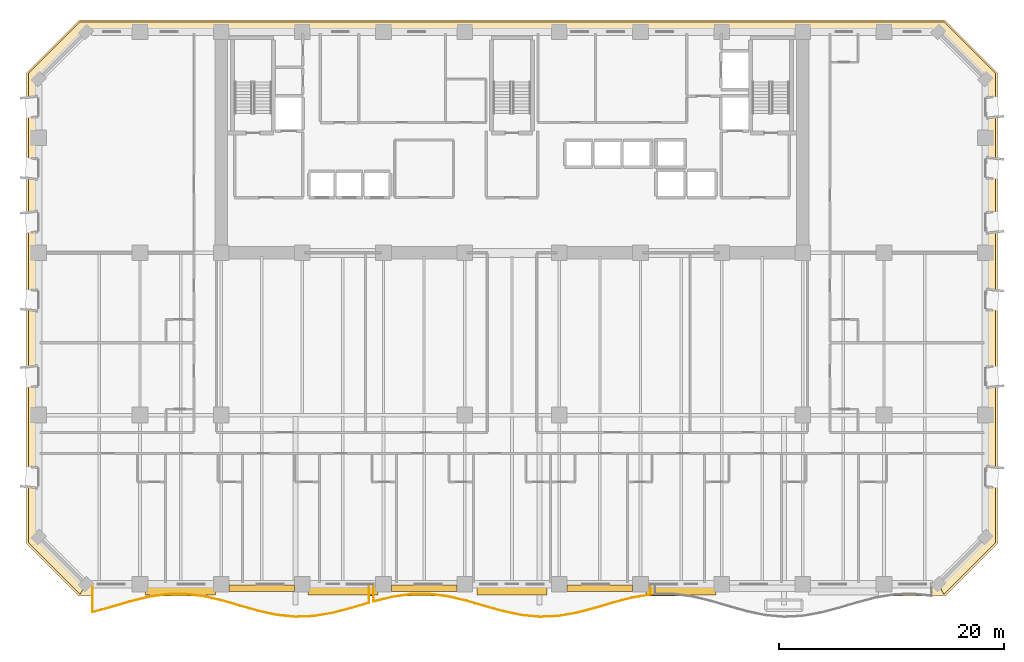
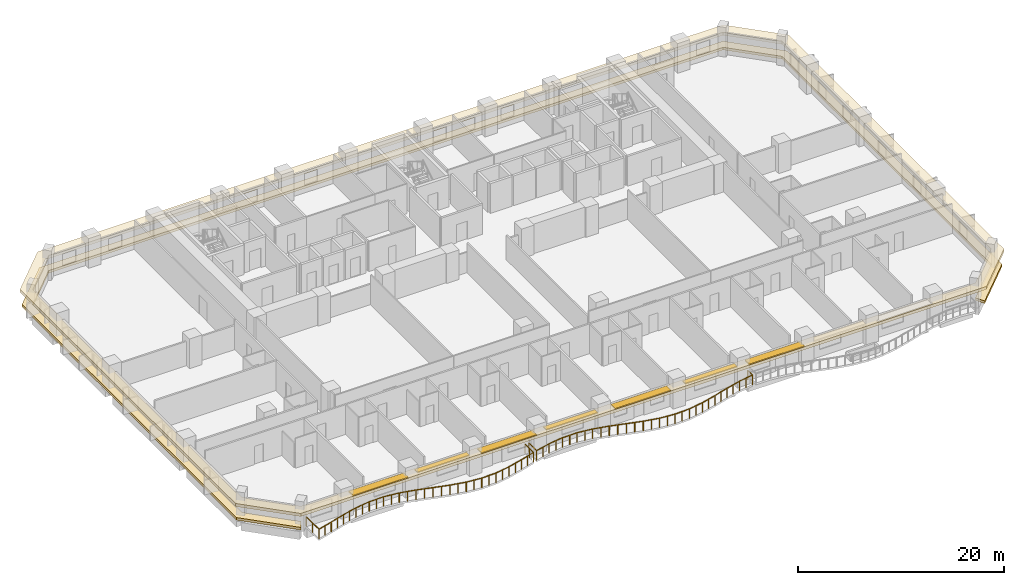
# One storey, part 12 of 15: 7 shading devices, 2 coverings, 2 railings.
"""IFC4 building model written with IfcOpenShell, lengths in metres."""

from ifc_helpers import new_model, si_unit, direction, frame, origin, origin_2d, place, context, subcontext, project, spatial, polyline, rectangle, outline, extrude, material, layer, layer_set, type_object, element, save


model = new_model("IFC4")

# Units and contexts
model_context = context("Model", 3, precision=1e-05, world=origin(), true_north=direction((0.0, 1.0)))
body_context = subcontext(model_context, "Body", "Model", "MODEL_VIEW")
ifc_project = project(units=[si_unit("LENGTHUNIT", "METRE"), si_unit("AREAUNIT", "SQUARE_METRE"), si_unit("VOLUMEUNIT", "CUBIC_METRE"), si_unit("PLANEANGLEUNIT", "RADIAN"), si_unit("MASSUNIT", "GRAM", prefix="KILO")], contexts=[model_context])

# Site, building, storey
site_placement = place(None, origin())
site = spatial("IfcSite", under=ifc_project, at=site_placement, CompositionType="ELEMENT")
building_placement = place(site_placement, origin())
building = spatial("IfcBuilding", under=site, at=building_placement, Name="Kaelvorn Grand Hotel", CompositionType="ELEMENT")
storey_placement = place(building_placement, frame((0.0, 0.0, 50.14990234375)))
storey = spatial("IfcBuildingStorey", under=building, at=storey_placement, Name="L10", CompositionType="ELEMENT", Elevation=50.14990234375)

# Coverings
ifc_material_1 = material(Name="Precast concrete C45/55", Category="concrete")
ifc_layer_1 = layer(ifc_material_1, 0.260009765625)
ifc_layer_set_1 = layer_set([ifc_layer_1], Name="Precast concrete C45/55")
covering_type_1 = type_object("IfcCoveringType", Name="COV-BAND-STREAMLINE-HEAD", PredefinedType="CLADDING", material=ifc_layer_set_1)
covering_1_placement = place(storey_placement, frame((0.0, 0.0, 2.18017578125)))
element("IfcCovering", 1, at=covering_1_placement, inside=storey, type_object=covering_type_1, Name="L10 Streamline Moderne Wraparound Horizontal Eyebrow Band", PredefinedType="CLADDING", context=body_context, shape_type="SweptSolid", body=[
    extrude(outline(polyline([(3.590087890625, -1.050048828125), (80.409912109375, -1.050048828125), (85.050048828125, 3.590087890625), (85.050048828125, 45.409912109375), (80.409912109375, 50.050048828125), (3.590087890625, 50.050048828125), (-1.050048828125, 45.409912109375), (-1.050048828125, 3.590087890625), (3.590087890625, -1.050048828125)]), holes=[polyline([(4.219970703125, 0.030029296875), (79.780029296875, 0.030029296875), (83.969970703125, 4.219970703125), (83.969970703125, 44.780029296875), (79.780029296875, 48.969970703125), (4.219970703125, 48.969970703125), (0.030029296875, 44.780029296875), (0.030029296875, 4.219970703125), (4.219970703125, 0.030029296875)])]), origin(), (0.0, 0.0, 1.0), 0.35986328125),
])
ifc_layer_2 = layer(ifc_material_1, 0.219970703125)
ifc_layer_set_2 = layer_set([ifc_layer_2], Name="Precast concrete C45/55")
covering_type_2 = type_object("IfcCoveringType", Name="COV-BAND-STREAMLINE-SILL", PredefinedType="CLADDING", material=ifc_layer_set_2)
covering_2_placement = place(storey_placement, frame((0.0, 0.0, 0.4501953125)))
element("IfcCovering", 2, at=covering_2_placement, inside=storey, type_object=covering_type_2, Name="L10 Streamline Moderne Wraparound Horizontal Sill Spandrel Band", PredefinedType="CLADDING", context=body_context, shape_type="SweptSolid", body=[
    extrude(outline(polyline([(80.3154296875, -0.8798828125), (84.8798828125, 3.6845703125), (84.8798828125, 45.3154296875), (80.3154296875, 49.8798828125), (3.6845703125, 49.8798828125), (-0.8798828125, 45.3154296875), (-0.8798828125, 3.6845703125), (3.6845703125, -0.8798828125), (4.217529296875, 0.030029296875), (0.030029296875, 4.217529296875), (0.030029296875, 44.782470703125), (4.217529296875, 48.969970703125), (79.782470703125, 48.969970703125), (83.969970703125, 44.782470703125), (83.969970703125, 4.217529296875), (79.782470703125, 0.030029296875), (80.3154296875, -0.8798828125)])), origin(), (0.0, 0.0, 1.0), 0.2998046875),
])

# Railings
ifc_material_2 = material(Name="Stainless Steel", Category="steel")
railing_type = type_object("IfcRailingType", Name="RL-BALC-1150", PredefinedType="BALUSTRADE", material=ifc_material_2)
railing_1_placement = place(storey_placement, frame((4.800048828125, 0.0, 0.0)))
element("IfcRailing", 3, at=railing_1_placement, inside=storey, type_object=railing_type, Name="L10 Scalloped Wave Balcony Balustrade GR1-1", PredefinedType="BALUSTRADE", context=body_context, shape_type="SweptSolid", body=[
    extrude(rectangle(XDim=0.048095703125, YDim=0.048095703125, at=origin_2d()), frame((0.0, 0.0, 1.1259765625), z_axis=(0.0, -1.0, 0.0), x_axis=(1.0, 0.0, 0.0)), (0.0, 0.0, 1.0), 2.4775390625),
    extrude(rectangle(XDim=0.048095703125, YDim=0.048095703125, at=origin_2d()), frame((0.0, -2.4775390625, 1.1259765625), z_axis=(0.964654076127, 0.263519474446, 0.0), x_axis=(-0.263519474446, 0.964654076127, 0.0)), (0.0, 0.0, 1.0), 1.6953125),
    extrude(rectangle(XDim=0.048095703125, YDim=0.048095703125, at=origin_2d()), frame((1.635498046875, -2.03076171875, 1.1259765625), z_axis=(0.959338132824, 0.282259361068, 0.0), x_axis=(-0.282259361068, 0.959338132824, 0.0)), (0.0, 0.0, 1.0), 1.704833984375),
    extrude(rectangle(XDim=0.048095703125, YDim=0.048095703125, at=origin_2d()), frame((3.27099609375, -1.549560546875, 1.1259765625), z_axis=(0.970108421797, 0.242671897751, 0.0), x_axis=(-0.242671897751, 0.970108421797, 0.0)), (0.0, 0.0, 1.0), 1.68603515625),
    extrude(rectangle(XDim=0.048095703125, YDim=0.048095703125, at=origin_2d()), frame((4.90673828125, -1.140380859375, 1.1259765625), z_axis=(0.988889745087, 0.148650839424, 0.0), x_axis=(-0.148650839424, 0.988889745087, 0.0)), (0.0, 0.0, 1.0), 1.65380859375),
    extrude(rectangle(XDim=0.048095703125, YDim=0.048095703125, at=origin_2d()), frame((6.542236328125, -0.89453125, 1.1259765625), z_axis=(0.999852684056, 0.01716421237, 0.0), x_axis=(-0.01716421237, 0.999852684056, 0.0)), (0.0, 0.0, 1.0), 1.6357421875),
    extrude(rectangle(XDim=0.048095703125, YDim=0.048095703125, at=origin_2d()), frame((8.177734375, -0.866455078125, 1.1259765625), z_axis=(0.992892259483, -0.119016641941, 0.0), x_axis=(0.119016641941, 0.992892259483, 0.0)), (0.0, 0.0, 1.0), 1.647216796875),
    extrude(rectangle(XDim=0.048095703125, YDim=0.048095703125, at=origin_2d()), frame((9.813232421875, -1.0625, 1.1259765625), z_axis=(0.974547877033, -0.22417947134, 0.0), x_axis=(0.22417947134, 0.974547877033, 0.0)), (0.0, 0.0, 1.0), 1.67822265625),
    extrude(rectangle(XDim=0.048095703125, YDim=0.048095703125, at=origin_2d()), frame((11.44873046875, -1.438720703125, 1.1259765625), z_axis=(0.960582401259, -0.277995414335, 0.0), x_axis=(0.277995414335, 0.960582401259, 0.0)), (0.0, 0.0, 1.0), 1.702880859375),
    extrude(rectangle(XDim=0.048095703125, YDim=0.048095703125, at=origin_2d()), frame((13.08447265625, -1.912109375, 1.1259765625), z_axis=(0.96186455439, -0.273526194374, 0.0), x_axis=(0.273526194374, 0.96186455439, 0.0)), (0.0, 0.0, 1.0), 1.700439453125),
    extrude(rectangle(XDim=0.048095703125, YDim=0.048095703125, at=origin_2d()), frame((14.719970703125, -2.377197265625, 1.1259765625), z_axis=(0.977427196396, -0.211272515358, 0.0), x_axis=(0.211272515358, 0.977427196396, 0.0)), (0.0, 0.0, 1.0), 1.67333984375),
    extrude(rectangle(XDim=0.048095703125, YDim=0.048095703125, at=origin_2d()), frame((16.35546875, -2.730712890625, 1.1259765625), z_axis=(0.995050417391, -0.099371358297, 0.0), x_axis=(0.099371358297, 0.995050417391, 0.0)), (0.0, 0.0, 1.0), 1.6435546875),
    extrude(rectangle(XDim=0.048095703125, YDim=0.048095703125, at=origin_2d()), frame((17.990966796875, -2.89404296875, 1.1259765625), z_axis=(0.999265134738, 0.03833002084, 0.0), x_axis=(-0.03833002084, 0.999265134738, 0.0)), (0.0, 0.0, 1.0), 1.636962890625),
    extrude(rectangle(XDim=0.048095703125, YDim=0.048095703125, at=origin_2d()), frame((19.626708984375, -2.831298828125, 1.1259765625), z_axis=(0.986118033534, 0.166045848907, 0.0), x_axis=(-0.166045848907, 0.986118033534, 0.0)), (0.0, 0.0, 1.0), 1.658447265625),
    extrude(rectangle(XDim=0.048095703125, YDim=0.048095703125, at=origin_2d()), frame((21.26220703125, -2.555908203125, 1.1259765625), z_axis=(0.96763721046, 0.252345455542, 0.0), x_axis=(-0.252345455542, 0.96763721046, 0.0)), (0.0, 0.0, 1.0), 1.690185546875),
    extrude(rectangle(XDim=0.048095703125, YDim=0.048095703125, at=origin_2d()), frame((22.897705078125, -2.12939453125, 1.1259765625), z_axis=(0.959027432838, 0.2833132243, 0.0), x_axis=(-0.2833132243, 0.959027432838, 0.0)), (0.0, 0.0, 1.0), 1.705322265625),
    extrude(rectangle(XDim=0.048095703125, YDim=0.048095703125, at=origin_2d()), frame((24.533203125, -1.646240234375, 1.1259765625), z_axis=(0.0, 1.0, 0.0), x_axis=(-1.0, 0.0, 0.0)), (0.0, 0.0, 1.0), 1.646240234375),
    extrude(rectangle(XDim=0.0419921875, YDim=0.0419921875, at=origin_2d()), origin(), (0.0, 0.0, 1.0), 1.101806640625),
    extrude(rectangle(XDim=0.0419921875, YDim=0.0419921875, at=origin_2d()), frame((0.0, -1.23876953125, 0.0)), (0.0, 0.0, 1.0), 1.101806640625),
    extrude(rectangle(XDim=0.0419921875, YDim=0.0419921875, at=origin_2d()), frame((0.0, -2.4775390625, 0.0)), (0.0, 0.0, 1.0), 1.101806640625),
    extrude(rectangle(XDim=0.0419921875, YDim=0.0419921875, at=origin_2d()), frame((0.81787109375, -2.254150390625, 0.0)), (0.0, 0.0, 1.0), 1.101806640625),
    extrude(rectangle(XDim=0.0419921875, YDim=0.0419921875, at=origin_2d()), frame((1.635498046875, -2.03076171875, 0.0)), (0.0, 0.0, 1.0), 1.101806640625),
    extrude(rectangle(XDim=0.0419921875, YDim=0.0419921875, at=origin_2d()), frame((2.453125, -1.7900390625, 0.0)), (0.0, 0.0, 1.0), 1.101806640625),
    extrude(rectangle(XDim=0.0419921875, YDim=0.0419921875, at=origin_2d()), frame((3.27099609375, -1.549560546875, 0.0)), (0.0, 0.0, 1.0), 1.101806640625),
    extrude(rectangle(XDim=0.0419921875, YDim=0.0419921875, at=origin_2d()), frame((4.0888671875, -1.344970703125, 0.0)), (0.0, 0.0, 1.0), 1.101806640625),
    extrude(rectangle(XDim=0.0419921875, YDim=0.0419921875, at=origin_2d()), frame((4.90673828125, -1.140380859375, 0.0)), (0.0, 0.0, 1.0), 1.101806640625),
    extrude(rectangle(XDim=0.0419921875, YDim=0.0419921875, at=origin_2d()), frame((5.724609375, -1.017578125, 0.0)), (0.0, 0.0, 1.0), 1.101806640625),
    extrude(rectangle(XDim=0.0419921875, YDim=0.0419921875, at=origin_2d()), frame((6.542236328125, -0.89453125, 0.0)), (0.0, 0.0, 1.0), 1.101806640625),
    extrude(rectangle(XDim=0.0419921875, YDim=0.0419921875, at=origin_2d()), frame((7.35986328125, -0.88037109375, 0.0)), (0.0, 0.0, 1.0), 1.101806640625),
    extrude(rectangle(XDim=0.0419921875, YDim=0.0419921875, at=origin_2d()), frame((8.177734375, -0.866455078125, 0.0)), (0.0, 0.0, 1.0), 1.101806640625),
    extrude(rectangle(XDim=0.0419921875, YDim=0.0419921875, at=origin_2d()), frame((8.99560546875, -0.96435546875, 0.0)), (0.0, 0.0, 1.0), 1.101806640625),
    extrude(rectangle(XDim=0.0419921875, YDim=0.0419921875, at=origin_2d()), frame((9.813232421875, -1.0625, 0.0)), (0.0, 0.0, 1.0), 1.101806640625),
    extrude(rectangle(XDim=0.0419921875, YDim=0.0419921875, at=origin_2d()), frame((10.630859375, -1.25048828125, 0.0)), (0.0, 0.0, 1.0), 1.101806640625),
    extrude(rectangle(XDim=0.0419921875, YDim=0.0419921875, at=origin_2d()), frame((11.44873046875, -1.438720703125, 0.0)), (0.0, 0.0, 1.0), 1.101806640625),
    extrude(rectangle(XDim=0.0419921875, YDim=0.0419921875, at=origin_2d()), frame((12.2666015625, -1.67529296875, 0.0)), (0.0, 0.0, 1.0), 1.101806640625),
    extrude(rectangle(XDim=0.0419921875, YDim=0.0419921875, at=origin_2d()), frame((13.08447265625, -1.912109375, 0.0)), (0.0, 0.0, 1.0), 1.101806640625),
    extrude(rectangle(XDim=0.0419921875, YDim=0.0419921875, at=origin_2d()), frame((13.90234375, -2.14453125, 0.0)), (0.0, 0.0, 1.0), 1.101806640625),
    extrude(rectangle(XDim=0.0419921875, YDim=0.0419921875, at=origin_2d()), frame((14.719970703125, -2.377197265625, 0.0)), (0.0, 0.0, 1.0), 1.101806640625),
    extrude(rectangle(XDim=0.0419921875, YDim=0.0419921875, at=origin_2d()), frame((15.53759765625, -2.553955078125, 0.0)), (0.0, 0.0, 1.0), 1.101806640625),
    extrude(rectangle(XDim=0.0419921875, YDim=0.0419921875, at=origin_2d()), frame((16.35546875, -2.730712890625, 0.0)), (0.0, 0.0, 1.0), 1.101806640625),
    extrude(rectangle(XDim=0.0419921875, YDim=0.0419921875, at=origin_2d()), frame((17.17333984375, -2.8125, 0.0)), (0.0, 0.0, 1.0), 1.101806640625),
    extrude(rectangle(XDim=0.0419921875, YDim=0.0419921875, at=origin_2d()), frame((17.990966796875, -2.89404296875, 0.0)), (0.0, 0.0, 1.0), 1.101806640625),
    extrude(rectangle(XDim=0.0419921875, YDim=0.0419921875, at=origin_2d()), frame((18.808837890625, -2.86279296875, 0.0)), (0.0, 0.0, 1.0), 1.101806640625),
    extrude(rectangle(XDim=0.0419921875, YDim=0.0419921875, at=origin_2d()), frame((19.626708984375, -2.831298828125, 0.0)), (0.0, 0.0, 1.0), 1.101806640625),
    extrude(rectangle(XDim=0.0419921875, YDim=0.0419921875, at=origin_2d()), frame((20.4443359375, -2.693603515625, 0.0)), (0.0, 0.0, 1.0), 1.101806640625),
    extrude(rectangle(XDim=0.0419921875, YDim=0.0419921875, at=origin_2d()), frame((21.26220703125, -2.555908203125, 0.0)), (0.0, 0.0, 1.0), 1.101806640625),
    extrude(rectangle(XDim=0.0419921875, YDim=0.0419921875, at=origin_2d()), frame((22.080078125, -2.3427734375, 0.0)), (0.0, 0.0, 1.0), 1.101806640625),
    extrude(rectangle(XDim=0.0419921875, YDim=0.0419921875, at=origin_2d()), frame((22.897705078125, -2.12939453125, 0.0)), (0.0, 0.0, 1.0), 1.101806640625),
    extrude(rectangle(XDim=0.0419921875, YDim=0.0419921875, at=origin_2d()), frame((23.71533203125, -1.8876953125, 0.0)), (0.0, 0.0, 1.0), 1.101806640625),
    extrude(rectangle(XDim=0.0419921875, YDim=0.0419921875, at=origin_2d()), frame((24.533203125, -1.646240234375, 0.0)), (0.0, 0.0, 1.0), 1.101806640625),
    extrude(rectangle(XDim=0.0419921875, YDim=0.0419921875, at=origin_2d()), frame((24.533203125, -0.8232421875, 0.0)), (0.0, 0.0, 1.0), 1.101806640625),
    extrude(rectangle(XDim=0.0419921875, YDim=0.0419921875, at=origin_2d()), frame((24.533203125, 0.0, 0.0)), (0.0, 0.0, 1.0), 1.101806640625),
])
railing_2_placement = place(storey_placement, frame((29.7333984375, 0.0, 0.0)))
element("IfcRailing", 4, at=railing_2_placement, inside=storey, type_object=railing_type, Name="L10 Scalloped Wave Balcony Balustrade GR1-2", PredefinedType="BALUSTRADE", context=body_context, shape_type="SweptSolid", body=[
    extrude(rectangle(XDim=0.048095703125, YDim=0.048095703125, at=origin_2d()), frame((0.0, 0.0, 1.1259765625), z_axis=(0.0, -1.0, 0.0), x_axis=(1.0, 0.0, 0.0)), (0.0, 0.0, 1.0), 1.531982421875),
    extrude(rectangle(XDim=0.048095703125, YDim=0.048095703125, at=origin_2d()), frame((0.0, -1.531982421875, 1.1259765625), z_axis=(0.970778455787, 0.239977477651, 0.0), x_axis=(-0.239977477651, 0.970778455787, 0.0)), (0.0, 0.0, 1.0), 1.684814453125),
    extrude(rectangle(XDim=0.048095703125, YDim=0.048095703125, at=origin_2d()), frame((1.635498046875, -1.127685546875, 1.1259765625), z_axis=(0.989552746823, 0.144171291372, 0.0), x_axis=(-0.144171291372, 0.989552746823, 0.0)), (0.0, 0.0, 1.0), 1.65283203125),
    extrude(rectangle(XDim=0.048095703125, YDim=0.048095703125, at=origin_2d()), frame((3.27099609375, -0.889404296875, 1.1259765625), z_axis=(0.999928700978, 0.011941229449, 0.0), x_axis=(-0.011941229449, 0.999928700978, 0.0)), (0.0, 0.0, 1.0), 1.635498046875),
    extrude(rectangle(XDim=0.048095703125, YDim=0.048095703125, at=origin_2d()), frame((4.906494140625, -0.869873046875, 1.1259765625), z_axis=(0.992305195112, -0.12381599151, 0.0), x_axis=(0.12381599151, 0.992305195112, 0.0)), (0.0, 0.0, 1.0), 1.6484375),
    extrude(rectangle(XDim=0.048095703125, YDim=0.048095703125, at=origin_2d()), frame((6.542236328125, -1.073974609375, 1.1259765625), z_axis=(0.973844426508, -0.227215829024, 0.0), x_axis=(0.227215829024, 0.973844426508, 0.0)), (0.0, 0.0, 1.0), 1.679443359375),
    extrude(rectangle(XDim=0.048095703125, YDim=0.048095703125, at=origin_2d()), frame((8.177734375, -1.45556640625, 1.1259765625), z_axis=(0.960302879925, -0.278959457282, 0.0), x_axis=(0.278959457282, 0.960302879925, 0.0)), (0.0, 0.0, 1.0), 1.703125),
    extrude(rectangle(XDim=0.048095703125, YDim=0.048095703125, at=origin_2d()), frame((9.813232421875, -1.9306640625, 1.1259765625), z_axis=(0.962241545122, -0.272197003733, 0.0), x_axis=(0.272197003733, 0.962241545122, 0.0)), (0.0, 0.0, 1.0), 1.69970703125),
    extrude(rectangle(XDim=0.048095703125, YDim=0.048095703125, at=origin_2d()), frame((11.44873046875, -2.393310546875, 1.1259765625), z_axis=(0.978181108295, -0.207753987627, 0.0), x_axis=(0.207753987627, 0.978181108295, 0.0)), (0.0, 0.0, 1.0), 1.672119140625),
    extrude(rectangle(XDim=0.048095703125, YDim=0.048095703125, at=origin_2d()), frame((13.08447265625, -2.74072265625, 1.1259765625), z_axis=(0.995523480824, -0.09451454453, 0.0), x_axis=(0.09451454453, 0.995523480824, 0.0)), (0.0, 0.0, 1.0), 1.642822265625),
    extrude(rectangle(XDim=0.048095703125, YDim=0.048095703125, at=origin_2d()), frame((14.719970703125, -2.89599609375, 1.1259765625), z_axis=(0.999044869462, 0.043696095948, 0.0), x_axis=(-0.043696095948, 0.999044869462, 0.0)), (0.0, 0.0, 1.0), 1.636962890625),
    extrude(rectangle(XDim=0.048095703125, YDim=0.048095703125, at=origin_2d()), frame((16.35546875, -2.824462890625, 1.1259765625), z_axis=(0.985410815118, 0.170192612792, 0.0), x_axis=(-0.170192612792, 0.985410815118, 0.0)), (0.0, 0.0, 1.0), 1.65966796875),
    extrude(rectangle(XDim=0.048095703125, YDim=0.048095703125, at=origin_2d()), frame((17.990966796875, -2.5419921875, 1.1259765625), z_axis=(0.967044616589, 0.254606970696, 0.0), x_axis=(-0.254606970696, 0.967044616589, 0.0)), (0.0, 0.0, 1.0), 1.69140625),
    extrude(rectangle(XDim=0.048095703125, YDim=0.048095703125, at=origin_2d()), frame((19.626708984375, -2.111328125, 1.1259765625), z_axis=(0.959066322629, 0.283181547419, 0.0), x_axis=(-0.283181547419, 0.959066322629, 0.0)), (0.0, 0.0, 1.0), 1.705322265625),
    extrude(rectangle(XDim=0.048095703125, YDim=0.048095703125, at=origin_2d()), frame((21.26220703125, -1.62841796875, 1.1259765625), z_axis=(0.967354524972, 0.253426957953, 0.0), x_axis=(-0.253426957953, 0.967354524972, 0.0)), (0.0, 0.0, 1.0), 1.690673828125),
    extrude(rectangle(XDim=0.048095703125, YDim=0.048095703125, at=origin_2d()), frame((22.897705078125, -1.199951171875, 1.1259765625), z_axis=(0.985827384416, 0.167762832995, 0.0), x_axis=(-0.167762832995, 0.985827384416, 0.0)), (0.0, 0.0, 1.0), 1.658935546875),
    extrude(rectangle(XDim=0.048095703125, YDim=0.048095703125, at=origin_2d()), frame((24.533203125, -0.921630859375, 1.1259765625), z_axis=(0.0, 1.0, 0.0), x_axis=(-1.0, 0.0, 0.0)), (0.0, 0.0, 1.0), 0.921630859375),
    extrude(rectangle(XDim=0.0419921875, YDim=0.0419921875, at=origin_2d()), origin(), (0.0, 0.0, 1.0), 1.101806640625),
    extrude(rectangle(XDim=0.0419921875, YDim=0.0419921875, at=origin_2d()), frame((0.0, -1.531982421875, 0.0)), (0.0, 0.0, 1.0), 1.101806640625),
    extrude(rectangle(XDim=0.0419921875, YDim=0.0419921875, at=origin_2d()), frame((0.81787109375, -1.329833984375, 0.0)), (0.0, 0.0, 1.0), 1.101806640625),
    extrude(rectangle(XDim=0.0419921875, YDim=0.0419921875, at=origin_2d()), frame((1.635498046875, -1.127685546875, 0.0)), (0.0, 0.0, 1.0), 1.101806640625),
    extrude(rectangle(XDim=0.0419921875, YDim=0.0419921875, at=origin_2d()), frame((2.453125, -1.008544921875, 0.0)), (0.0, 0.0, 1.0), 1.101806640625),
    extrude(rectangle(XDim=0.0419921875, YDim=0.0419921875, at=origin_2d()), frame((3.27099609375, -0.889404296875, 0.0)), (0.0, 0.0, 1.0), 1.101806640625),
    extrude(rectangle(XDim=0.0419921875, YDim=0.0419921875, at=origin_2d()), frame((4.0888671875, -0.879638671875, 0.0)), (0.0, 0.0, 1.0), 1.101806640625),
    extrude(rectangle(XDim=0.0419921875, YDim=0.0419921875, at=origin_2d()), frame((4.906494140625, -0.869873046875, 0.0)), (0.0, 0.0, 1.0), 1.101806640625),
    extrude(rectangle(XDim=0.0419921875, YDim=0.0419921875, at=origin_2d()), frame((5.724365234375, -0.971923828125, 0.0)), (0.0, 0.0, 1.0), 1.101806640625),
    extrude(rectangle(XDim=0.0419921875, YDim=0.0419921875, at=origin_2d()), frame((6.542236328125, -1.073974609375, 0.0)), (0.0, 0.0, 1.0), 1.101806640625),
    extrude(rectangle(XDim=0.0419921875, YDim=0.0419921875, at=origin_2d()), frame((7.35986328125, -1.2646484375, 0.0)), (0.0, 0.0, 1.0), 1.101806640625),
    extrude(rectangle(XDim=0.0419921875, YDim=0.0419921875, at=origin_2d()), frame((8.177734375, -1.45556640625, 0.0)), (0.0, 0.0, 1.0), 1.101806640625),
    extrude(rectangle(XDim=0.0419921875, YDim=0.0419921875, at=origin_2d()), frame((8.99560546875, -1.693115234375, 0.0)), (0.0, 0.0, 1.0), 1.101806640625),
    extrude(rectangle(XDim=0.0419921875, YDim=0.0419921875, at=origin_2d()), frame((9.813232421875, -1.9306640625, 0.0)), (0.0, 0.0, 1.0), 1.101806640625),
    extrude(rectangle(XDim=0.0419921875, YDim=0.0419921875, at=origin_2d()), frame((10.630859375, -2.162109375, 0.0)), (0.0, 0.0, 1.0), 1.101806640625),
    extrude(rectangle(XDim=0.0419921875, YDim=0.0419921875, at=origin_2d()), frame((11.44873046875, -2.393310546875, 0.0)), (0.0, 0.0, 1.0), 1.101806640625),
    extrude(rectangle(XDim=0.0419921875, YDim=0.0419921875, at=origin_2d()), frame((12.2666015625, -2.56689453125, 0.0)), (0.0, 0.0, 1.0), 1.101806640625),
    extrude(rectangle(XDim=0.0419921875, YDim=0.0419921875, at=origin_2d()), frame((13.08447265625, -2.74072265625, 0.0)), (0.0, 0.0, 1.0), 1.101806640625),
    extrude(rectangle(XDim=0.0419921875, YDim=0.0419921875, at=origin_2d()), frame((13.90234375, -2.818359375, 0.0)), (0.0, 0.0, 1.0), 1.101806640625),
    extrude(rectangle(XDim=0.0419921875, YDim=0.0419921875, at=origin_2d()), frame((14.719970703125, -2.89599609375, 0.0)), (0.0, 0.0, 1.0), 1.101806640625),
    extrude(rectangle(XDim=0.0419921875, YDim=0.0419921875, at=origin_2d()), frame((15.53759765625, -2.8603515625, 0.0)), (0.0, 0.0, 1.0), 1.101806640625),
    extrude(rectangle(XDim=0.0419921875, YDim=0.0419921875, at=origin_2d()), frame((16.35546875, -2.824462890625, 0.0)), (0.0, 0.0, 1.0), 1.101806640625),
    extrude(rectangle(XDim=0.0419921875, YDim=0.0419921875, at=origin_2d()), frame((17.17333984375, -2.68310546875, 0.0)), (0.0, 0.0, 1.0), 1.101806640625),
    extrude(rectangle(XDim=0.0419921875, YDim=0.0419921875, at=origin_2d()), frame((17.990966796875, -2.5419921875, 0.0)), (0.0, 0.0, 1.0), 1.101806640625),
    extrude(rectangle(XDim=0.0419921875, YDim=0.0419921875, at=origin_2d()), frame((18.808837890625, -2.32666015625, 0.0)), (0.0, 0.0, 1.0), 1.101806640625),
    extrude(rectangle(XDim=0.0419921875, YDim=0.0419921875, at=origin_2d()), frame((19.626708984375, -2.111328125, 0.0)), (0.0, 0.0, 1.0), 1.101806640625),
    extrude(rectangle(XDim=0.0419921875, YDim=0.0419921875, at=origin_2d()), frame((20.4443359375, -1.869873046875, 0.0)), (0.0, 0.0, 1.0), 1.101806640625),
    extrude(rectangle(XDim=0.0419921875, YDim=0.0419921875, at=origin_2d()), frame((21.26220703125, -1.62841796875, 0.0)), (0.0, 0.0, 1.0), 1.101806640625),
    extrude(rectangle(XDim=0.0419921875, YDim=0.0419921875, at=origin_2d()), frame((22.080078125, -1.4140625, 0.0)), (0.0, 0.0, 1.0), 1.101806640625),
    extrude(rectangle(XDim=0.0419921875, YDim=0.0419921875, at=origin_2d()), frame((22.897705078125, -1.199951171875, 0.0)), (0.0, 0.0, 1.0), 1.101806640625),
    extrude(rectangle(XDim=0.0419921875, YDim=0.0419921875, at=origin_2d()), frame((23.71533203125, -1.060791015625, 0.0)), (0.0, 0.0, 1.0), 1.101806640625),
    extrude(rectangle(XDim=0.0419921875, YDim=0.0419921875, at=origin_2d()), frame((24.533203125, -0.921630859375, 0.0)), (0.0, 0.0, 1.0), 1.101806640625),
    extrude(rectangle(XDim=0.0419921875, YDim=0.0419921875, at=origin_2d()), frame((24.533203125, 0.0, 0.0)), (0.0, 0.0, 1.0), 1.101806640625),
])

# Shading devices
ifc_layer_3 = layer(ifc_material_1, 0.1201171875)
ifc_layer_set_3 = layer_set([ifc_layer_3], Name="Precast concrete C45/55")
shading_device_type_1 = type_object("IfcShadingDeviceType", Name="SHD-SUNSHADE-550", PredefinedType="USERDEFINED", material=ifc_layer_set_3)
for number, where, z_axis, x_axis, name in (
    (5, (19.800048828125, -0.364990234375, 2.419921875), (0.0, 0.0, 1.0), (1.0, 0.0, 0.0), "L10 Horizontal Concrete Sunshade Band SS-03"),
    (6, (34.199951171875, -0.364990234375, 2.419921875), (0.0, 0.0, 1.0), (1.0, 0.0, 0.0), "L10 Horizontal Concrete Sunshade Band SS-05"),
    (7, (49.800048828125, -0.364990234375, 2.419921875), (0.0, 0.0, 1.0), (1.0, 0.0, 0.0), "L10 Horizontal Concrete Sunshade Band SS-07"),
):
    element("IfcShadingDevice", number, at=place(storey_placement, frame(where, z_axis=z_axis, x_axis=x_axis)), inside=storey, type_object=shading_device_type_1, Name=name, ObjectType="SUNSHADE", PredefinedType="USERDEFINED", context=body_context, shape_type="SweptSolid", body=[
        extrude(rectangle(XDim=5.800048828125, YDim=0.550048828125, at=origin_2d()), origin(), (0.0, 0.0, 1.0), 0.1201171875),
    ])
ifc_layer_4 = layer(ifc_material_1, 0.139892578125)
ifc_layer_set_4 = layer_set([ifc_layer_4], Name="Precast concrete C45/55")
shading_device_type_2 = type_object("IfcShadingDeviceType", Name="SHD-SUNSHADE-850", PredefinedType="USERDEFINED", material=ifc_layer_set_4)
for number, where, z_axis, x_axis, name in (
    (8, (12.60009765625, -0.514892578125, 2.41015625), (0.0, 0.0, 1.0), (1.0, 0.0, 0.0), "L10 Horizontal Concrete Sunshade Band SS-02"),
    (9, (27.0, -0.514892578125, 2.41015625), (0.0, 0.0, 1.0), (1.0, 0.0, 0.0), "L10 Horizontal Concrete Sunshade Band SS-04"),
    (10, (42.0, -0.514892578125, 2.41015625), (0.0, 0.0, 1.0), (1.0, 0.0, 0.0), "L10 Horizontal Concrete Sunshade Band SS-06"),
    (11, (57.0, -0.514892578125, 2.41015625), (0.0, 0.0, 1.0), (1.0, 0.0, 0.0), "L10 Horizontal Concrete Sunshade Band SS-08"),
):
    element("IfcShadingDevice", number, at=place(storey_placement, frame(where, z_axis=z_axis, x_axis=x_axis)), inside=storey, type_object=shading_device_type_2, Name=name, ObjectType="SUNSHADE", PredefinedType="USERDEFINED", context=body_context, shape_type="SweptSolid", body=[
        extrude(rectangle(XDim=6.199951171875, YDim=0.85009765625, at=origin_2d()), origin(), (0.0, 0.0, 1.0), 0.139892578125),
    ])

save(model, "model.ifc")
